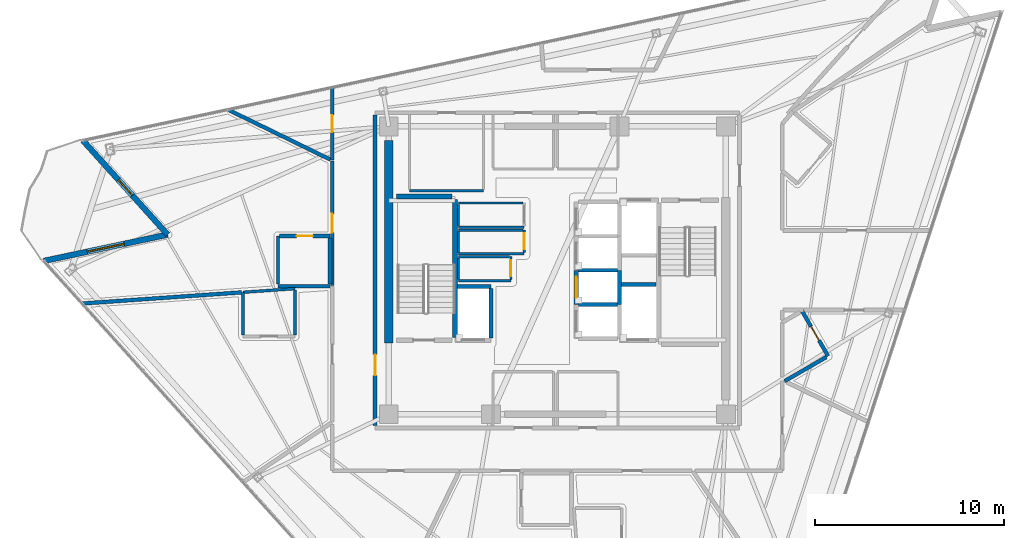
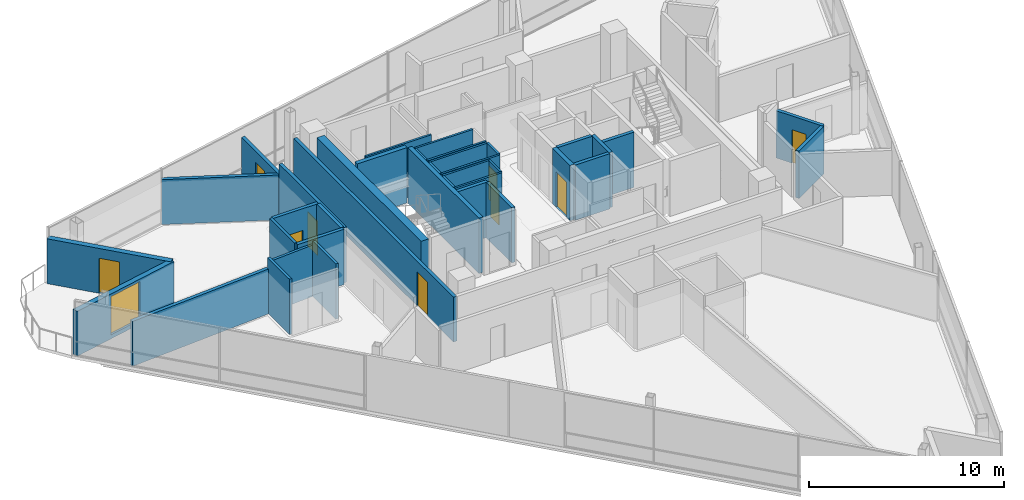
# One storey, part 11 of 18: 38 walls, 9 doors, 1 window, 10 openings.
"""IFC4 building model written with IfcOpenShell, lengths in metres."""

from ifc_helpers import new_model, si_unit, direction, frame, frame_2d, origin, place, context, subcontext, project, spatial, rectangle, extrude, material, layer, layer_set, type_object, element, fill, save


model = new_model("IFC4")

# Units and contexts
model_context = context("Model", 3, precision=1e-05, world=origin(), true_north=direction((0.0, 1.0)))
body_context = subcontext(model_context, "Body", "Model", "MODEL_VIEW")
ifc_project = project(units=[si_unit("LENGTHUNIT", "METRE"), si_unit("AREAUNIT", "SQUARE_METRE"), si_unit("VOLUMEUNIT", "CUBIC_METRE"), si_unit("PLANEANGLEUNIT", "RADIAN"), si_unit("MASSUNIT", "GRAM", prefix="KILO")], contexts=[model_context])

# Site, building, storey
site_placement = place(None, origin())
site = spatial("IfcSite", under=ifc_project, at=site_placement, CompositionType="ELEMENT")
building_placement = place(site_placement, origin())
building = spatial("IfcBuilding", under=site, at=building_placement, Name="Tharavind Bronze Gate", CompositionType="ELEMENT")
storey_placement = place(building_placement, frame((0.0, 0.0, 287.050048828125)))
storey = spatial("IfcBuildingStorey", under=building, at=storey_placement, Name="L74", CompositionType="ELEMENT", Elevation=287.050048828125)

# Wall, opening, door
ifc_material_1 = material(Name="Concrete C40/50", Category="concrete")
ifc_layer_1 = layer(ifc_material_1, 0.300048828125)
ifc_layer_set_1 = layer_set([ifc_layer_1], Name="Concrete C40/50")
wall_type_1 = type_object("IfcWallType", Name="EXTERIOR SPANDREL WALL 300", PredefinedType="STANDARD", material=ifc_layer_set_1)
wall_1_placement = place(storey_placement, frame((-25.041015625, 6.84814453125, 0.0), z_axis=(0.0, 0.0, 1.0), x_axis=(0.669132313306, -0.743143288532, 0.0)))
wall_1 = element("IfcWall", 1, at=wall_1_placement, inside=storey, type_object=wall_type_1, Name="L74 notch cheek wall 1A", PredefinedType="STANDARD", context=body_context, shape_type="SweptSolid", body=[
    extrude(rectangle(XDim=6.679931640625, YDim=0.300048828125, at=frame_2d((3.33984375, 0.0))), origin(), (0.0, 0.0, 1.0), 2.81005859375),
])
opening_1_placement = place(wall_1_placement, frame((2.7900390625, 0.0, 0.0)))
opening_1 = element("IfcOpeningElement", 2, at=opening_1_placement, cuts=wall_1, Name="Opening ED04", PredefinedType="OPENING", context=body_context, shape_type="SweptSolid", body=[
    extrude(rectangle(XDim=1.10009765625, YDim=2.199951171875, at=frame_2d((0.550048828125, 1.10009765625))), frame((0.0, 0.15990234375, 0.0), z_axis=(0.0, -1.0, 0.0), x_axis=(1.0, 0.0, 0.0)), (0.0, 0.0, 1.0), 0.320048828125),
])
ifc_material_2 = material(Name="Bronze Aluminium & Toughened Glass", Category="aluminium")
door_type_1 = type_object("IfcDoorType", Name="TREE BALCONY ACCESS DOOR 1100X2200", OperationType="SINGLE_SWING_LEFT", PredefinedType="DOOR", material=ifc_material_2)
door_1_placement = place(opening_1_placement, origin())
door_1 = element("IfcDoor", 3, at=door_1_placement, inside=storey, type_object=door_type_1, Name="L74 tree balcony access door", OperationType="SINGLE_SWING_LEFT", OverallHeight=2.199951171875, OverallWidth=1.10009765625, PredefinedType="DOOR", context=body_context, shape_type="SweptSolid", body=[
    extrude(rectangle(XDim=1.10009765625, YDim=2.199951171875, at=frame_2d((0.550048828125, 1.10009765625))), frame((0.0, 0.02490234375, 0.0), z_axis=(0.0, -1.0, 0.0), x_axis=(1.0, 0.0, 0.0)), (0.0, 0.0, 1.0), 0.050048828125),
])
fill(opening_1, door_1)

# Wall, opening, window
wall_2_placement = place(storey_placement, frame((-20.5712890625, 1.884033203125, 0.0), z_axis=(0.0, 0.0, 1.0), x_axis=(-0.978145008547, -0.207923885724, 0.0)))
wall_2 = element("IfcWall", 4, at=wall_2_placement, inside=storey, type_object=wall_type_1, Name="L74 notch cheek wall 1B", PredefinedType="STANDARD", context=body_context, shape_type="SweptSolid", body=[
    extrude(rectangle(XDim=6.679931640625, YDim=0.300048828125, at=frame_2d((3.33984375, 0.0))), origin(), (0.0, 0.0, 1.0), 2.81005859375),
])
opening_2_placement = place(wall_2_placement, frame((2.340087890625, 0.0, 0.25)))
opening_2 = element("IfcOpeningElement", 5, at=opening_2_placement, cuts=wall_2, Name="Opening W06", PredefinedType="OPENING", context=body_context, shape_type="SweptSolid", body=[
    extrude(rectangle(XDim=2.0, YDim=2.39990234375, at=frame_2d((1.0, 1.199951171875))), frame((0.0, 0.15990234375, 0.0), z_axis=(0.0, -1.0, 0.0), x_axis=(1.0, 0.0, 0.0)), (0.0, 0.0, 1.0), 0.320048828125),
])
ifc_material_3 = material(Name="Bronze Aluminium & Low-E Glass", Category="aluminium")
window_type = type_object("IfcWindowType", Name="CROWN OBSERVATORY WINDOW 2000X2400", PartitioningType="DOUBLE_PANEL_VERTICAL", PredefinedType="WINDOW", material=ifc_material_3)
window_placement = place(opening_2_placement, origin())
window = element("IfcWindow", 6, at=window_placement, inside=storey, type_object=window_type, Name="L74 exterior window WL-L74-NCB1-01", OverallHeight=2.39990234375, OverallWidth=2.0, PartitioningType="SINGLE_PANEL", PredefinedType="WINDOW", context=body_context, shape_type="SweptSolid", body=[
    extrude(rectangle(XDim=2.0, YDim=2.39990234375, at=frame_2d((1.0, 1.199951171875))), frame((0.0, 0.030029296875, 0.0), z_axis=(0.0, -1.0, 0.0), x_axis=(1.0, 0.0, 0.0)), (0.0, 0.0, 1.0), 0.06005859375),
])
fill(opening_2, window)

# Wall, opening, door
ifc_material_4 = material(Name="Aerated Concrete Block", Category="concrete")
ifc_layer_2 = layer(ifc_material_4, 0.199951171875)
ifc_layer_set_2 = layer_set([ifc_layer_2], Name="Aerated Concrete Block")
wall_type_2 = type_object("IfcWallType", Name="FIRE RATED PARTITION 200", PredefinedType="PARTITIONING", material=ifc_layer_set_2)
wall_3_placement = place(storey_placement, frame((-9.6201171875, 8.199951171875, 0.0), z_axis=(0.0, 0.0, 1.0), x_axis=(0.0, -1.0, 0.0)))
wall_3 = element("IfcWall", 7, at=wall_3_placement, inside=storey, type_object=wall_type_2, Name="L74 west core corridor wall", PredefinedType="PARTITIONING", context=body_context, shape_type="SweptSolid", body=[
    extrude(rectangle(XDim=16.39990234375, YDim=0.199951171875, at=frame_2d((8.199951171875, 0.0))), origin(), (0.0, 0.0, 1.0), 2.81005859375),
])
opening_3_placement = place(wall_3_placement, frame((12.64990234375, 0.0, 0.0)))
opening_3 = element("IfcOpeningElement", 8, at=opening_3_placement, cuts=wall_3, Name="Opening ID01", PredefinedType="OPENING", context=body_context, shape_type="SweptSolid", body=[
    extrude(rectangle(XDim=1.10009765625, YDim=2.14990234375, at=frame_2d((0.550048828125, 1.074951171875))), frame((0.0, 0.11009765625, 0.0), z_axis=(0.0, -1.0, 0.0), x_axis=(1.0, 0.0, 0.0)), (0.0, 0.0, 1.0), 0.219951171875),
])
ifc_material_5 = material(Name="Fire-Rated Steel", Category="steel")
door_type_2 = type_object("IfcDoorType", Name="STAIR CORE FIRE DOOR 1100X2150", OperationType="SINGLE_SWING_LEFT", PredefinedType="DOOR", material=ifc_material_5)
door_2_placement = place(opening_3_placement, frame((1.10009765625, 0.0, 0.0), z_axis=(0.0, 0.0, 1.0), x_axis=(-1.0, 0.0, 0.0)))
door_2 = element("IfcDoor", 9, at=door_2_placement, inside=storey, type_object=door_type_2, Name="L74 south west stair lobby fire door", OperationType="SINGLE_SWING_LEFT", OverallHeight=2.14990234375, OverallWidth=1.10009765625, PredefinedType="DOOR", context=body_context, shape_type="SweptSolid", body=[
    extrude(rectangle(XDim=1.10009765625, YDim=2.14990234375, at=frame_2d((0.550048828125, 1.074951171875))), frame((0.0, 0.02490234375, 0.0), z_axis=(0.0, -1.0, 0.0), x_axis=(1.0, 0.0, 0.0)), (0.0, 0.0, 1.0), 0.050048828125),
])
fill(opening_3, door_2)

# Wall
wall_4_placement = place(storey_placement, frame((-12.0, -0.839111328125, 0.0), z_axis=(0.0, 0.0, 1.0), x_axis=(-1.0, 0.0, 0.0)))
element("IfcWall", 10, at=wall_4_placement, inside=storey, type_object=wall_type_2, Name="L74 En-Suite Bathroom partition", PredefinedType="PARTITIONING", context=body_context, shape_type="SweptSolid", body=[
    extrude(rectangle(XDim=2.75, YDim=0.199951171875, at=frame_2d((1.375, 0.0))), origin(), (0.0, 0.0, 1.0), 3.46484375),
])

# Wall, opening, door
wall_5_placement = place(storey_placement, frame((-14.669921875, 1.810791015625, 0.0), z_axis=(0.0, 0.0, 1.0), x_axis=(1.0, 0.0, 0.0)))
wall_5 = element("IfcWall", 11, at=wall_5_placement, inside=storey, type_object=wall_type_2, Name="L74 En-Suite Bathroom partition", PredefinedType="PARTITIONING", context=body_context, shape_type="SweptSolid", body=[
    extrude(rectangle(XDim=2.669921875, YDim=0.199951171875, at=frame_2d((1.3349609375, 0.0))), origin(), (0.0, 0.0, 1.0), 3.46484375),
])
opening_4_placement = place(wall_5_placement, frame((0.909912109375, 0.0, 0.0)))
opening_4 = element("IfcOpeningElement", 12, at=opening_4_placement, cuts=wall_5, Name="Opening ID06", PredefinedType="OPENING", context=body_context, shape_type="SweptSolid", body=[
    extrude(rectangle(XDim=0.85009765625, YDim=2.10009765625, at=frame_2d((0.425048828125, 1.050048828125))), frame((0.0, 0.11009765625, 0.0), z_axis=(0.0, -1.0, 0.0), x_axis=(1.0, 0.0, 0.0)), (0.0, 0.0, 1.0), 0.219951171875),
])
ifc_material_6 = material(Name="Moisture-Resistant Timber", Category="wood")
door_type_3 = type_object("IfcDoorType", Name="BATHROOM PRIVACY DOOR 850X2100", OperationType="SINGLE_SWING_RIGHT", PredefinedType="DOOR", material=ifc_material_6)
door_3_placement = place(opening_4_placement, origin())
door_3 = element("IfcDoor", 13, at=door_3_placement, inside=storey, type_object=door_type_3, Name="L74 En-Suite Bathroom door", OperationType="SINGLE_SWING_RIGHT", OverallHeight=2.10009765625, OverallWidth=0.85009765625, PredefinedType="DOOR", context=body_context, shape_type="SweptSolid", body=[
    extrude(rectangle(XDim=0.85009765625, YDim=2.10009765625, at=frame_2d((0.425048828125, 1.050048828125))), frame((0.0, 0.02490234375, 0.0), z_axis=(0.0, -1.0, 0.0), x_axis=(1.0, 0.0, 0.0)), (0.0, 0.0, 1.0), 0.050048828125),
])
fill(opening_4, door_3)

# Wall
wall_6_placement = place(storey_placement, frame((-12.0, 1.705810546875, 0.0), z_axis=(0.0, 0.0, 1.0), x_axis=(0.0, -1.0, 0.0)))
element("IfcWall", 14, at=wall_6_placement, inside=storey, type_object=wall_type_2, Name="L74 En-Suite Bathroom partition", PredefinedType="PARTITIONING", context=body_context, shape_type="SweptSolid", body=[
    extrude(rectangle(XDim=2.43994140625, YDim=0.199951171875, at=frame_2d((1.219970703125, 0.0))), origin(), (0.0, 0.0, 1.0), 3.46484375),
])

# Wall, opening, door
wall_7_placement = place(storey_placement, frame((12.919921875, -2.146240234375, 0.0), z_axis=(0.0, 0.0, 1.0), x_axis=(0.499996545922, -0.866027397988, 0.0)))
wall_7 = element("IfcWall", 15, at=wall_7_placement, inside=storey, type_object=wall_type_2, Name="L74 En-Suite Bathroom partition", PredefinedType="PARTITIONING", context=body_context, shape_type="SweptSolid", body=[
    extrude(rectangle(XDim=2.75, YDim=0.199951171875, at=frame_2d((1.375, 0.0))), origin(), (0.0, 0.0, 1.0), 2.9599609375),
])
opening_5_placement = place(wall_7_placement, frame((0.949951171875, 0.0, 0.0)))
opening_5 = element("IfcOpeningElement", 16, at=opening_5_placement, cuts=wall_7, Name="Opening ID06", PredefinedType="OPENING", context=body_context, shape_type="SweptSolid", body=[
    extrude(rectangle(XDim=0.85009765625, YDim=2.10009765625, at=frame_2d((0.425048828125, 1.050048828125))), frame((0.0, 0.11009765625, 0.0), z_axis=(0.0, -1.0, 0.0), x_axis=(1.0, 0.0, 0.0)), (0.0, 0.0, 1.0), 0.219951171875),
])
door_4_placement = place(opening_5_placement, origin())
door_4 = element("IfcDoor", 17, at=door_4_placement, inside=storey, type_object=door_type_3, Name="L74 En-Suite Bathroom door", OperationType="SINGLE_SWING_RIGHT", OverallHeight=2.10009765625, OverallWidth=0.85009765625, PredefinedType="DOOR", context=body_context, shape_type="SweptSolid", body=[
    extrude(rectangle(XDim=0.85009765625, YDim=2.10009765625, at=frame_2d((0.425048828125, 1.050048828125))), frame((0.0, 0.02490234375, 0.0), z_axis=(0.0, -1.0, 0.0), x_axis=(1.0, 0.0, 0.0)), (0.0, 0.0, 1.0), 0.050048828125),
])
fill(opening_5, door_4)

# Wall
wall_8_placement = place(storey_placement, frame((14.2041015625, -4.580322265625, 0.0), z_axis=(0.0, 0.0, 1.0), x_axis=(-0.866038622153, -0.499977104415, 0.0)))
element("IfcWall", 18, at=wall_8_placement, inside=storey, type_object=wall_type_2, Name="L74 En-Suite Bathroom partition", PredefinedType="PARTITIONING", context=body_context, shape_type="SweptSolid", body=[
    extrude(rectangle(XDim=2.544921875, YDim=0.199951171875, at=frame_2d((1.2724609375, 0.0))), origin(), (0.0, 0.0, 1.0), 2.9599609375),
])

# Wall, opening, door
wall_9_placement = place(storey_placement, frame((-11.8798828125, 9.645751953125, 0.0), z_axis=(0.0, 0.0, 1.0), x_axis=(0.0, -1.0, 0.0)))
wall_9 = element("IfcWall", 19, at=wall_9_placement, inside=storey, type_object=wall_type_2, Name="L74 Housekeeping & Linen Room partition", PredefinedType="PARTITIONING", context=body_context, shape_type="SweptSolid", body=[
    extrude(rectangle(XDim=3.8115234375, YDim=0.199951171875, at=frame_2d((1.90576171875, 0.0))), origin(), (0.0, 0.0, 1.0), 2.81005859375),
])
opening_6_placement = place(wall_9_placement, frame((1.4560546875, 0.0, 0.0)))
opening_6 = element("IfcOpeningElement", 20, at=opening_6_placement, cuts=wall_9, Name="Opening ID07", PredefinedType="OPENING", context=body_context, shape_type="SweptSolid", body=[
    extrude(rectangle(XDim=0.89990234375, YDim=2.10009765625, at=frame_2d((0.449951171875, 1.050048828125))), frame((0.0, 0.11009765625, 0.0), z_axis=(0.0, -1.0, 0.0), x_axis=(1.0, 0.0, 0.0)), (0.0, 0.0, 1.0), 0.219951171875),
])
ifc_material_7 = material(Name="Galvanised Fire Steel", Category="steel")
door_type_4 = type_object("IfcDoorType", Name="PLANT AND RISER FIRE DOOR 900X2100", OperationType="SINGLE_SWING_LEFT", PredefinedType="DOOR", material=ifc_material_7)
door_5_placement = place(opening_6_placement, origin())
door_5 = element("IfcDoor", 21, at=door_5_placement, inside=storey, type_object=door_type_4, Name="L74 Housekeeping & Linen Room door", OperationType="SINGLE_SWING_LEFT", OverallHeight=2.10009765625, OverallWidth=0.89990234375, PredefinedType="DOOR", context=body_context, shape_type="SweptSolid", body=[
    extrude(rectangle(XDim=0.89990234375, YDim=2.10009765625, at=frame_2d((0.449951171875, 1.050048828125))), frame((0.0, 0.02490234375, 0.0), z_axis=(0.0, -1.0, 0.0), x_axis=(1.0, 0.0, 0.0)), (0.0, 0.0, 1.0), 0.050048828125),
])
fill(opening_6, door_5)

# Wall
wall_10_placement = place(storey_placement, frame((-11.985107421875, 5.845458984375, 0.0), z_axis=(0.0, 0.0, 1.0), x_axis=(-0.898777045876, 0.438406001107, 0.0)))
element("IfcWall", 22, at=wall_10_placement, inside=storey, type_object=wall_type_2, Name="L74 Housekeeping & Linen Room partition", PredefinedType="PARTITIONING", context=body_context, shape_type="SweptSolid", body=[
    extrude(rectangle(XDim=6.002197265625, YDim=0.199951171875, at=frame_2d((3.0009765625, 0.0))), origin(), (0.0, 0.0, 1.0), 2.81005859375),
])

# Wall, opening, door
wall_11_placement = place(storey_placement, frame((-11.8798828125, 5.778564453125, 0.0), z_axis=(0.0, 0.0, 1.0), x_axis=(0.0, -1.0, 0.0)))
wall_11 = element("IfcWall", 23, at=wall_11_placement, inside=storey, type_object=wall_type_2, Name="L74 Deluxe Hotel Suite partition", PredefinedType="PARTITIONING", context=body_context, shape_type="SweptSolid", body=[
    extrude(rectangle(XDim=6.5859375, YDim=0.199951171875, at=frame_2d((3.29296875, 0.0))), origin(), (0.0, 0.0, 1.0), 3.46484375),
])
opening_7_placement = place(wall_11_placement, frame((2.79296875, 0.0, 0.0)))
opening_7 = element("IfcOpeningElement", 24, at=opening_7_placement, cuts=wall_11, Name="Opening ID03", PredefinedType="OPENING", context=body_context, shape_type="SweptSolid", body=[
    extrude(rectangle(XDim=1.0, YDim=2.14990234375, at=frame_2d((0.5, 1.074951171875))), frame((0.0, 0.11009765625, 0.0), z_axis=(0.0, -1.0, 0.0), x_axis=(1.0, 0.0, 0.0)), (0.0, 0.0, 1.0), 0.219951171875),
])
ifc_material_8 = material(Name="Solid Timber Veneer", Category="wood")
door_type_5 = type_object("IfcDoorType", Name="HOTEL SUITE ENTRANCE DOOR 1000X2150", OperationType="SINGLE_SWING_LEFT", PredefinedType="DOOR", material=ifc_material_8)
door_6_placement = place(opening_7_placement, origin())
door_6 = element("IfcDoor", 25, at=door_6_placement, inside=storey, type_object=door_type_5, Name="L74 Deluxe Hotel Suite door", OperationType="SINGLE_SWING_LEFT", OverallHeight=2.14990234375, OverallWidth=1.0, PredefinedType="DOOR", context=body_context, shape_type="SweptSolid", body=[
    extrude(rectangle(XDim=1.0, YDim=2.14990234375, at=frame_2d((0.5, 1.074951171875))), frame((0.0, 0.02490234375, 0.0), z_axis=(0.0, -1.0, 0.0), x_axis=(1.0, 0.0, 0.0)), (0.0, 0.0, 1.0), 0.050048828125),
])
fill(opening_7, door_6)

# Walls
wall_12_placement = place(storey_placement, frame((-16.679931640625, -1.16650390625, 0.0), z_axis=(0.0, 0.0, 1.0), x_axis=(-0.997565152075, -0.069740715271, 0.0)))
element("IfcWall", 26, at=wall_12_placement, inside=storey, type_object=wall_type_2, Name="L74 Deluxe Hotel Suite partition", PredefinedType="PARTITIONING", context=body_context, shape_type="SweptSolid", body=[
    extrude(rectangle(XDim=8.40869140625, YDim=0.199951171875, at=frame_2d((4.204345703125, 0.0))), origin(), (0.0, 0.0, 1.0), 2.81005859375),
])
ifc_material_9 = material(Name="Metal Stud Gypsum Partition", Category="gypsum")
ifc_layer_3 = layer(ifc_material_9, 0.1201171875)
ifc_layer_set_3 = layer_set([ifc_layer_3], Name="Metal Stud Gypsum Partition")
wall_type_3 = type_object("IfcWallType", Name="INTERIOR PARTITION WALL 120", PredefinedType="PARTITIONING", material=ifc_layer_set_3)
wall_13_placement = place(storey_placement, frame((-5.219970703125, 2.280029296875, 0.0), z_axis=(0.0, 0.0, 1.0), x_axis=(1.0, 0.0, 0.0)))
element("IfcWall", 27, at=wall_13_placement, inside=storey, type_object=wall_type_3, Name="L74 Housekeeping Linen Store partition 1", PredefinedType="PARTITIONING", context=body_context, shape_type="SweptSolid", body=[
    extrude(rectangle(XDim=3.469970703125, YDim=0.1201171875, at=frame_2d((1.73486328125, 0.0))), origin(), (0.0, 0.0, 1.0), 3.46484375),
])
wall_14_placement = place(storey_placement, frame((-1.81494140625, 3.550048828125, 0.0), z_axis=(0.0, 0.0, 1.0), x_axis=(-1.0, 0.0, 0.0)))
element("IfcWall", 28, at=wall_14_placement, inside=storey, type_object=wall_type_3, Name="L74 Housekeeping Linen Store partition 3", PredefinedType="PARTITIONING", context=body_context, shape_type="SweptSolid", body=[
    extrude(rectangle(XDim=3.405029296875, YDim=0.1201171875, at=frame_2d((1.70263671875, 0.0))), origin(), (0.0, 0.0, 1.0), 3.46484375),
])
wall_15_placement = place(storey_placement, frame((-5.219970703125, 3.485107421875, 0.0), z_axis=(0.0, 0.0, 1.0), x_axis=(0.0, -1.0, 0.0)))
element("IfcWall", 29, at=wall_15_placement, inside=storey, type_object=wall_type_3, Name="L74 Housekeeping Linen Store partition 4", PredefinedType="PARTITIONING", context=body_context, shape_type="SweptSolid", body=[
    extrude(rectangle(XDim=1.14013671875, YDim=0.1201171875, at=frame_2d((0.570068359375, 0.0))), origin(), (0.0, 0.0, 1.0), 3.46484375),
])
wall_16_placement = place(storey_placement, frame((-5.219970703125, 0.8798828125, 0.0), z_axis=(0.0, 0.0, 1.0), x_axis=(1.0, 0.0, 0.0)))
element("IfcWall", 30, at=wall_16_placement, inside=storey, type_object=wall_type_3, Name="L74 Comms Data Room partition 1", PredefinedType="PARTITIONING", context=body_context, shape_type="SweptSolid", body=[
    extrude(rectangle(XDim=3.469970703125, YDim=0.1201171875, at=frame_2d((1.73486328125, 0.0))), origin(), (0.0, 0.0, 1.0), 3.46484375),
])

# Wall, opening, door
wall_17_placement = place(storey_placement, frame((-1.75, 0.945068359375, 0.0), z_axis=(0.0, 0.0, 1.0), x_axis=(0.0, 1.0, 0.0)))
wall_17 = element("IfcWall", 31, at=wall_17_placement, inside=storey, type_object=wall_type_3, Name="L74 Comms Data Room partition 2", PredefinedType="PARTITIONING", context=body_context, shape_type="SweptSolid", body=[
    extrude(rectangle(XDim=1.175048828125, YDim=0.1201171875, at=frame_2d((0.58740234375, 0.0))), origin(), (0.0, 0.0, 1.0), 3.46484375),
])
opening_8_placement = place(wall_17_placement, frame((0.1630859375, 0.0, 0.0)))
opening_8 = element("IfcOpeningElement", 32, at=opening_8_placement, cuts=wall_17, Name="Opening ID06", PredefinedType="OPENING", context=body_context, shape_type="SweptSolid", body=[
    extrude(rectangle(XDim=0.85009765625, YDim=2.10009765625, at=frame_2d((0.425048828125, 1.050048828125))), frame((0.0, 0.07005859375, 0.0), z_axis=(0.0, -1.0, 0.0), x_axis=(1.0, 0.0, 0.0)), (0.0, 0.0, 1.0), 0.1401171875),
])
door_7_placement = place(opening_8_placement, frame((0.85009765625, 0.0, 0.0), z_axis=(0.0, 0.0, 1.0), x_axis=(-1.0, 0.0, 0.0)))
door_7 = element("IfcDoor", 33, at=door_7_placement, inside=storey, type_object=door_type_3, Name="L74 Comms Data Room door", OperationType="SINGLE_SWING_RIGHT", OverallHeight=2.10009765625, OverallWidth=0.85009765625, PredefinedType="DOOR", context=body_context, shape_type="SweptSolid", body=[
    extrude(rectangle(XDim=0.85009765625, YDim=2.10009765625, at=frame_2d((0.425048828125, 1.050048828125))), frame((0.0, 0.02490234375, 0.0), z_axis=(0.0, -1.0, 0.0), x_axis=(1.0, 0.0, 0.0)), (0.0, 0.0, 1.0), 0.050048828125),
])
fill(opening_8, door_7)

# Walls
wall_18_placement = place(storey_placement, frame((-1.81494140625, 2.1201171875, 0.0), z_axis=(0.0, 0.0, 1.0), x_axis=(-1.0, 0.0, 0.0)))
element("IfcWall", 34, at=wall_18_placement, inside=storey, type_object=wall_type_3, Name="L74 Comms Data Room partition 3", PredefinedType="PARTITIONING", context=body_context, shape_type="SweptSolid", body=[
    extrude(rectangle(XDim=3.405029296875, YDim=0.1201171875, at=frame_2d((1.70263671875, 0.0))), origin(), (0.0, 0.0, 1.0), 3.46484375),
])
wall_19_placement = place(storey_placement, frame((-5.219970703125, 2.054931640625, 0.0), z_axis=(0.0, 0.0, 1.0), x_axis=(0.0, -1.0, 0.0)))
element("IfcWall", 35, at=wall_19_placement, inside=storey, type_object=wall_type_3, Name="L74 Comms Data Room partition 4", PredefinedType="PARTITIONING", context=body_context, shape_type="SweptSolid", body=[
    extrude(rectangle(XDim=1.10986328125, YDim=0.1201171875, at=frame_2d((0.554931640625, 0.0))), origin(), (0.0, 0.0, 1.0), 3.46484375),
])
wall_20_placement = place(storey_placement, frame((-5.219970703125, -0.550048828125, 0.0), z_axis=(0.0, 0.0, 1.0), x_axis=(1.0, 0.0, 0.0)))
element("IfcWall", 36, at=wall_20_placement, inside=storey, type_object=wall_type_3, Name="L74 Electrical Metering Store partition 1", PredefinedType="PARTITIONING", context=body_context, shape_type="SweptSolid", body=[
    extrude(rectangle(XDim=2.77001953125, YDim=0.1201171875, at=frame_2d((1.385009765625, 0.0))), origin(), (0.0, 0.0, 1.0), 3.46484375),
])

# Wall, opening, door
wall_21_placement = place(storey_placement, frame((-2.449951171875, -0.485107421875, 0.0), z_axis=(0.0, 0.0, 1.0), x_axis=(0.0, 1.0, 0.0)))
wall_21 = element("IfcWall", 37, at=wall_21_placement, inside=storey, type_object=wall_type_3, Name="L74 Electrical Metering Store partition 2", PredefinedType="PARTITIONING", context=body_context, shape_type="SweptSolid", body=[
    extrude(rectangle(XDim=1.205078125, YDim=0.1201171875, at=frame_2d((0.6025390625, 0.0))), origin(), (0.0, 0.0, 1.0), 3.46484375),
])
opening_9_placement = place(wall_21_placement, frame((0.177978515625, 0.0, 0.0)))
opening_9 = element("IfcOpeningElement", 38, at=opening_9_placement, cuts=wall_21, Name="Opening ID06", PredefinedType="OPENING", context=body_context, shape_type="SweptSolid", body=[
    extrude(rectangle(XDim=0.85009765625, YDim=2.10009765625, at=frame_2d((0.425048828125, 1.050048828125))), frame((0.0, 0.07005859375, 0.0), z_axis=(0.0, -1.0, 0.0), x_axis=(1.0, 0.0, 0.0)), (0.0, 0.0, 1.0), 0.1401171875),
])
door_8_placement = place(opening_9_placement, frame((0.85009765625, 0.0, 0.0), z_axis=(0.0, 0.0, 1.0), x_axis=(-1.0, 0.0, 0.0)))
door_8 = element("IfcDoor", 39, at=door_8_placement, inside=storey, type_object=door_type_3, Name="L74 Electrical Metering Store door", OperationType="SINGLE_SWING_RIGHT", OverallHeight=2.10009765625, OverallWidth=0.85009765625, PredefinedType="DOOR", context=body_context, shape_type="SweptSolid", body=[
    extrude(rectangle(XDim=0.85009765625, YDim=2.10009765625, at=frame_2d((0.425048828125, 1.050048828125))), frame((0.0, 0.02490234375, 0.0), z_axis=(0.0, -1.0, 0.0), x_axis=(1.0, 0.0, 0.0)), (0.0, 0.0, 1.0), 0.050048828125),
])
fill(opening_9, door_8)

# Walls
wall_22_placement = place(storey_placement, frame((-2.514892578125, 0.719970703125, 0.0), z_axis=(0.0, 0.0, 1.0), x_axis=(-1.0, 0.0, 0.0)))
element("IfcWall", 40, at=wall_22_placement, inside=storey, type_object=wall_type_3, Name="L74 Electrical Metering Store partition 3", PredefinedType="PARTITIONING", context=body_context, shape_type="SweptSolid", body=[
    extrude(rectangle(XDim=2.705078125, YDim=0.1201171875, at=frame_2d((1.3525390625, 0.0))), origin(), (0.0, 0.0, 1.0), 3.46484375),
])
wall_23_placement = place(storey_placement, frame((-5.219970703125, 0.655029296875, 0.0), z_axis=(0.0, 0.0, 1.0), x_axis=(0.0, -1.0, 0.0)))
element("IfcWall", 41, at=wall_23_placement, inside=storey, type_object=wall_type_3, Name="L74 Electrical Metering Store partition 4", PredefinedType="PARTITIONING", context=body_context, shape_type="SweptSolid", body=[
    extrude(rectangle(XDim=1.14013671875, YDim=0.1201171875, at=frame_2d((0.570068359375, 0.0))), origin(), (0.0, 0.0, 1.0), 3.46484375),
])
wall_24_placement = place(storey_placement, frame((-7.800048828125, 4.199951171875, 0.0), z_axis=(0.0, 0.0, 1.0), x_axis=(1.0, 0.0, 0.0)))
element("IfcWall", 42, at=wall_24_placement, inside=storey, type_object=wall_type_3, Name="L74 Electrical Switch Room partition 1", PredefinedType="PARTITIONING", context=body_context, shape_type="SweptSolid", body=[
    extrude(rectangle(XDim=3.900146484375, YDim=0.1201171875, at=frame_2d((1.9501953125, 0.0))), origin(), (0.0, 0.0, 1.0), 3.46484375),
])
ifc_material_10 = material(Name="Twin Stud Acoustic Gypsum", Category="gypsum")
ifc_layer_4 = layer(ifc_material_10, 0.14990234375)
ifc_layer_set_4 = layer_set([ifc_layer_4], Name="Twin Stud Acoustic Gypsum")
wall_type_4 = type_object("IfcWallType", Name="INTERIOR PARTITION WALL 150", PredefinedType="PARTITIONING", material=ifc_layer_set_4)
wall_25_placement = place(storey_placement, frame((-14.75, -0.734130859375, 0.0), z_axis=(0.0, 0.0, 1.0), x_axis=(0.0, 1.0, 0.0)))
element("IfcWall", 43, at=wall_25_placement, inside=storey, type_object=wall_type_4, Name="L74 En-Suite Bathroom partition", PredefinedType="PARTITIONING", context=body_context, shape_type="SweptSolid", body=[
    extrude(rectangle(XDim=2.544921875, YDim=0.14990234375, at=frame_2d((1.2724609375, 0.0))), origin(), (0.0, 0.0, 1.0), 3.46484375),
])
wall_26_placement = place(storey_placement, frame((-16.60009765625, -3.4091796875, 0.0), z_axis=(0.0, 0.0, 1.0), x_axis=(0.0, 1.0, 0.0)))
element("IfcWall", 44, at=wall_26_placement, inside=storey, type_object=wall_type_4, Name="L74 En-Suite Bathroom partition", PredefinedType="PARTITIONING", context=body_context, shape_type="SweptSolid", body=[
    extrude(rectangle(XDim=2.248291015625, YDim=0.14990234375, at=frame_2d((1.1240234375, 0.0))), origin(), (0.0, 0.0, 1.0), 3.46484375),
])
wall_27_placement = place(storey_placement, frame((-16.60009765625, -1.160888671875, 0.0), z_axis=(0.0, 0.0, 1.0), x_axis=(0.997561927417, 0.069786825178, 0.0)))
element("IfcWall", 45, at=wall_27_placement, inside=storey, type_object=wall_type_4, Name="L74 En-Suite Bathroom partition", PredefinedType="PARTITIONING", context=body_context, shape_type="SweptSolid", body=[
    extrude(rectangle(XDim=2.7568359375, YDim=0.14990234375, at=frame_2d((1.37841796875, 0.0))), origin(), (0.0, 0.0, 1.0), 3.219970703125),
])
wall_28_placement = place(storey_placement, frame((-13.85009765625, -1.048583984375, 0.0), z_axis=(0.0, 0.0, 1.0), x_axis=(0.0, -1.0, 0.0)))
element("IfcWall", 46, at=wall_28_placement, inside=storey, type_object=wall_type_4, Name="L74 En-Suite Bathroom partition", PredefinedType="PARTITIONING", context=body_context, shape_type="SweptSolid", body=[
    extrude(rectangle(XDim=2.360595703125, YDim=0.14990234375, at=frame_2d((1.18017578125, 0.0))), origin(), (0.0, 0.0, 1.0), 3.46484375),
])
ifc_material_11 = material(Name="Concrete C50/60", Category="concrete")
ifc_layer_5 = layer(ifc_material_11, 0.25)
ifc_layer_set_5 = layer_set([ifc_layer_5], Name="Concrete C50/60")
wall_type_5 = type_object("IfcWallType", Name="RC CORE SHEAR WALL 250", PredefinedType="SHEAR", material=ifc_layer_set_5)
wall_29_placement = place(storey_placement, frame((-5.39990234375, -3.550048828125, 0.0), z_axis=(0.0, 0.0, 1.0), x_axis=(0.0, 1.0, 0.0)))
element("IfcWall", 47, at=wall_29_placement, inside=storey, type_object=wall_type_5, Name="L74 ST1 shaft east wall", PredefinedType="SHEAR", context=body_context, shape_type="SweptSolid", body=[
    extrude(rectangle(XDim=7.300048828125, YDim=0.25, at=frame_2d((3.64990234375, 0.0))), origin(), (0.0, 0.0, 1.0), 3.46484375),
])
wall_30_placement = place(storey_placement, frame((-8.5, 3.89990234375, 0.0), z_axis=(0.0, 0.0, 1.0), x_axis=(1.0, 0.0, 0.0)))
element("IfcWall", 48, at=wall_30_placement, inside=storey, type_object=wall_type_5, Name="L74 ST1 shaft north wall", PredefinedType="SHEAR", context=body_context, shape_type="SweptSolid", body=[
    extrude(rectangle(XDim=2.949951171875, YDim=0.25, at=frame_2d((1.47509765625, 0.0))), origin(), (0.0, 0.0, 1.0), 3.46484375),
])

# Wall, opening, door
wall_31_placement = place(storey_placement, frame((1.0, -1.800048828125, 0.0), z_axis=(0.0, 0.0, 1.0), x_axis=(0.0, 1.0, 0.0)))
wall_31 = element("IfcWall", 49, at=wall_31_placement, inside=storey, type_object=wall_type_5, Name="L74 lift PL10 shaft front wall", PredefinedType="SHEAR", context=body_context, shape_type="SweptSolid", body=[
    extrude(rectangle(XDim=1.800048828125, YDim=0.25, at=frame_2d((0.89990234375, 0.0))), origin(), (0.0, 0.0, 1.0), 3.46484375),
])
opening_10_placement = place(wall_31_placement, frame((0.35009765625, 0.0, 0.0)))
opening_10 = element("IfcOpeningElement", 50, at=opening_10_placement, cuts=wall_31, Name="Opening LD01", PredefinedType="OPENING", context=body_context, shape_type="SweptSolid", body=[
    extrude(rectangle(XDim=1.10009765625, YDim=2.199951171875, at=frame_2d((0.550048828125, 1.10009765625))), frame((0.0, 0.135, 0.0), z_axis=(0.0, -1.0, 0.0), x_axis=(1.0, 0.0, 0.0)), (0.0, 0.0, 1.0), 0.27),
])
ifc_material_12 = material(Name="Brushed Bronze Stainless Steel", Category="steel")
door_type_6 = type_object("IfcDoorType", Name="LIFT LANDING SLIDING DOOR 1100X2200", OperationType="SLIDING_TO_LEFT", PredefinedType="DOOR", material=ifc_material_12)
door_9_placement = place(opening_10_placement, origin())
door_9 = element("IfcDoor", 51, at=door_9_placement, inside=storey, type_object=door_type_6, Name="L74 lift PL10 sliding landing door", OperationType="SLIDING_TO_LEFT", OverallHeight=2.199951171875, OverallWidth=1.10009765625, PredefinedType="DOOR", context=body_context, shape_type="SweptSolid", body=[
    extrude(rectangle(XDim=1.10009765625, YDim=2.199951171875, at=frame_2d((0.550048828125, 1.10009765625))), frame((0.0, 0.02490234375, 0.0), z_axis=(0.0, -1.0, 0.0), x_axis=(1.0, 0.0, 0.0)), (0.0, 0.0, 1.0), 0.050048828125),
])
fill(opening_10, door_9)

# Walls
ifc_material_13 = material(Name="Concrete C60/75", Category="concrete")
ifc_layer_6 = layer(ifc_material_13, 0.449951171875)
ifc_layer_set_6 = layer_set([ifc_layer_6], Name="Concrete C60/75")
wall_type_6 = type_object("IfcWallType", Name="RC CORE SHEAR WALL 450", PredefinedType="SHEAR", material=ifc_layer_set_6)
wall_32_placement = place(storey_placement, frame((-8.89990234375, -3.85009765625, 0.0), z_axis=(0.0, 0.0, 1.0), x_axis=(0.0, 1.0, 0.0)))
element("IfcWall", 52, at=wall_32_placement, inside=storey, type_object=wall_type_6, Name="L74 west core shear wall", PredefinedType="SHEAR", context=body_context, shape_type="SweptSolid", body=[
    extrude(rectangle(XDim=10.7001953125, YDim=0.449951171875, at=frame_2d((5.35009765625, 0.0))), origin(), (0.0, 0.0, 1.0), 3.46484375),
])
ifc_layer_7 = layer(ifc_material_1, 0.199951171875)
ifc_layer_set_7 = layer_set([ifc_layer_7], Name="Concrete C40/50")
wall_type_7 = type_object("IfcWallType", Name="SHAFT ENCLOSURE WALL 200", PredefinedType="PARTITIONING", material=ifc_layer_set_7)
wall_33_placement = place(storey_placement, frame((1.1298828125, -1.800048828125, 0.0), z_axis=(0.0, 0.0, 1.0), x_axis=(1.0, 0.0, 0.0)))
element("IfcWall", 53, at=wall_33_placement, inside=storey, type_object=wall_type_7, Name="L74 lift PL9 shaft N enclosure wall", PredefinedType="PARTITIONING", context=body_context, shape_type="SweptSolid", body=[
    extrude(rectangle(XDim=2.045166015625, YDim=0.199951171875, at=frame_2d((1.0224609375, 0.0))), origin(), (0.0, 0.0, 1.0), 3.46484375),
])
wall_34_placement = place(storey_placement, frame((3.280029296875, -1.800048828125, 0.0), z_axis=(0.0, 0.0, 1.0), x_axis=(0.0, 1.0, 0.0)))
element("IfcWall", 54, at=wall_34_placement, inside=storey, type_object=wall_type_7, Name="L74 lift PL10 shaft E enclosure wall", PredefinedType="PARTITIONING", context=body_context, shape_type="SweptSolid", body=[
    extrude(rectangle(XDim=1.800048828125, YDim=0.199951171875, at=frame_2d((0.89990234375, 0.0))), origin(), (0.0, 0.0, 1.0), 3.46484375),
])
wall_35_placement = place(storey_placement, frame((1.1298828125, 0.0, 0.0), z_axis=(0.0, 0.0, 1.0), x_axis=(1.0, 0.0, 0.0)))
element("IfcWall", 55, at=wall_35_placement, inside=storey, type_object=wall_type_7, Name="L74 lift PL10 shaft N enclosure wall", PredefinedType="PARTITIONING", context=body_context, shape_type="SweptSolid", body=[
    extrude(rectangle(XDim=2.045166015625, YDim=0.199951171875, at=frame_2d((1.0224609375, 0.0))), origin(), (0.0, 0.0, 1.0), 3.46484375),
])
wall_36_placement = place(storey_placement, frame((-5.27001953125, -0.85009765625, 0.0), z_axis=(0.0, 0.0, 1.0), x_axis=(1.0, 0.0, 0.0)))
element("IfcWall", 56, at=wall_36_placement, inside=storey, type_object=wall_type_7, Name="L74 lift FFL1 shaft N enclosure wall", PredefinedType="PARTITIONING", context=body_context, shape_type="SweptSolid", body=[
    extrude(rectangle(XDim=1.77001953125, YDim=0.199951171875, at=frame_2d((0.885009765625, 0.0))), origin(), (0.0, 0.0, 1.0), 3.46484375),
])
wall_37_placement = place(storey_placement, frame((-3.5, -3.570068359375, 0.0), z_axis=(0.0, 0.0, 1.0), x_axis=(0.0, 1.0, 0.0)))
element("IfcWall", 57, at=wall_37_placement, inside=storey, type_object=wall_type_7, Name="L74 lift FFL1 shaft E enclosure wall", PredefinedType="PARTITIONING", context=body_context, shape_type="SweptSolid", body=[
    extrude(rectangle(XDim=2.614990234375, YDim=0.199951171875, at=frame_2d((1.3076171875, 0.0))), origin(), (0.0, 0.0, 1.0), 3.46484375),
])
wall_38_placement = place(storey_placement, frame((3.385009765625, -0.75, 0.0), z_axis=(0.0, 0.0, 1.0), x_axis=(1.0, 0.0, 0.0)))
element("IfcWall", 58, at=wall_38_placement, inside=storey, type_object=wall_type_7, Name="L74 lift SVL1 shaft N enclosure wall", PredefinedType="PARTITIONING", context=body_context, shape_type="SweptSolid", body=[
    extrude(rectangle(XDim=1.8349609375, YDim=0.199951171875, at=frame_2d((0.91748046875, 0.0))), origin(), (0.0, 0.0, 1.0), 3.46484375),
])

save(model, "model.ifc")
